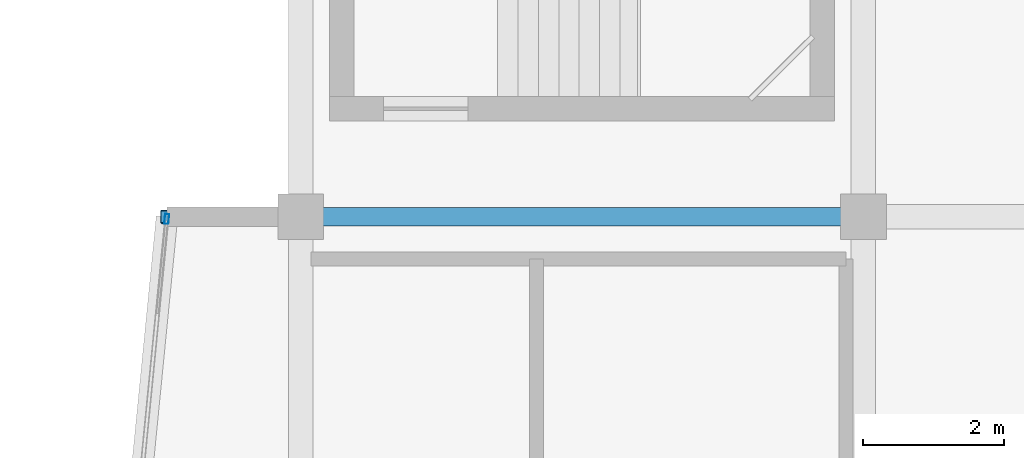
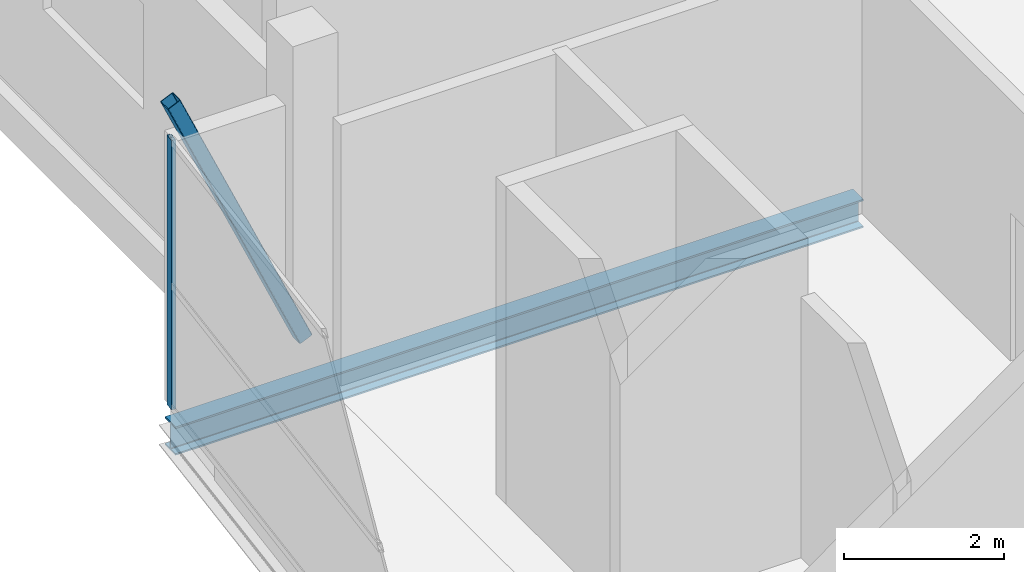
# One storey, part 24 of 58: 2 members, 1 beam, 1 element without a shape of its own.
"""IFC4 building model written with IfcOpenShell, lengths in metres."""

from ifc_helpers import new_model, si_unit, direction, frame, origin, origin_2d, place, context, subcontext, project, spatial, hollow_rectangle, i_section, extrude, material, layer, layer_set, material_profile, profile_set, type_object, element, aggregate, save


model = new_model("IFC4")

# Units and contexts
model_context = context("Model", 3, precision=1e-05, world=origin(), true_north=direction((0.0, 1.0)))
body_context = subcontext(model_context, "Body", "Model", "MODEL_VIEW")
ifc_project = project(units=[si_unit("LENGTHUNIT", "METRE"), si_unit("AREAUNIT", "SQUARE_METRE"), si_unit("VOLUMEUNIT", "CUBIC_METRE"), si_unit("PLANEANGLEUNIT", "RADIAN"), si_unit("MASSUNIT", "GRAM", prefix="KILO")], contexts=[model_context])

# Site, building, storey
site_placement = place(None, origin())
site = spatial("IfcSite", under=ifc_project, at=site_placement, CompositionType="ELEMENT")
building_placement = place(site_placement, origin())
building = spatial("IfcBuilding", under=site, at=building_placement, Name="Sillaruma Civic Art Gallery", CompositionType="ELEMENT")
storey_placement = place(building_placement, frame((0.0, 0.0, 52.02001953125)))
storey = spatial("IfcBuildingStorey", under=building, at=storey_placement, Name="L10", CompositionType="ELEMENT", Elevation=52.02001953125)

# Beam
ifc_material_1 = material(Name="Structural Steel ASTM A992 Gr.50", Category="steel")
ifc_material_profile_1 = material_profile(ifc_material_1, i_section(OverallWidth=0.264892578125, OverallDepth=0.430908203125, WebThickness=0.014892578125, FlangeThickness=0.02490234375, FilletRadius=0.012939453125, at=origin_2d()), Name="W410x149")
ifc_profile_set_1 = profile_set([ifc_material_profile_1], Name="Structural Steel ASTM A992 Gr.50")
beam_type = type_object("IfcBeamType", Name="BM-PROW-W410x149", PredefinedType="BEAM", material=ifc_profile_set_1)
beam_placement = place(storey_placement, frame((70.0, 79.199951171875, -0.465576171875), z_axis=(-1.0, 0.0, 0.0), x_axis=(0.0, -1.0, 0.0)))
element("IfcBeam", 1, at=beam_placement, inside=storey, type_object=beam_type, Name="Back-Spanned Prow Beam (PRW-L10-W-FLR-N)", PredefinedType="BEAM", context=body_context, shape_type="SweptSolid", body=[
    extrude(i_section(OverallWidth=0.264892578125, OverallDepth=0.430908203125, WebThickness=0.014892578125, FlangeThickness=0.02490234375, FilletRadius=0.012939453125, at=origin_2d()), origin(), (0.0, 0.0, 1.0), 9.89990234375),
])

# Curtain wall, member
ifc_material_2 = material(Name="Thermally Broken Extruded Aluminium 6063-T6", Category="aluminium")
ifc_layer = layer(ifc_material_2, 0.139892578125, Name="Thermally Broken Extruded Aluminium 6063-T6")
ifc_layer_set = layer_set([ifc_layer], Name="Thermally Broken Extruded Aluminium 6063-T6")
curtain_wall_type = type_object("IfcCurtainWallType", Name="CW-UNI-84", PredefinedType="NOTDEFINED", material=ifc_layer_set)
curtain_wall_placement = place(storey_placement, origin())
curtain_wall = element("IfcCurtainWall", 2, at=curtain_wall_placement, inside=storey, type_object=curtain_wall_type, Name="Unitised Curtain Wall CW-84 (CW-PRW-L10-W-ANG)", PredefinedType="NOTDEFINED")
ifc_material_profile_2 = material_profile(ifc_material_2, hollow_rectangle(XDim=0.06005859375, YDim=0.139892578125, WallThickness=0.00341796875, at=origin_2d()), Name="CWM60x140")
ifc_profile_set_2 = profile_set([ifc_material_profile_2], Name="Thermally Broken Extruded Aluminium 6063-T6")
member_type_1 = type_object("IfcMemberType", Name="MEM-MUL-CWM60x140", PredefinedType="MULLION", material=ifc_profile_set_2)
member_1_placement = place(storey_placement, frame((60.09716796875, 79.170166015625, 0.0), z_axis=(0.0, 0.0, 1.0), x_axis=(0.99518536297, -0.098010679679, 0.0)))
member_1 = element("IfcMember", 3, at=member_1_placement, type_object=member_type_1, Name="CW-84 mullion 1", PredefinedType="MULLION", context=body_context, shape_type="SweptSolid", body=[
    extrude(hollow_rectangle(XDim=0.06005859375, YDim=0.139892578125, WallThickness=0.00341796875, at=origin_2d()), origin(), (0.0, 0.0, 1.0), 4.10009765625),
])
aggregate(curtain_wall, [member_1])

# Member
ifc_material_3 = material(Name="Structural Steel ASTM A500 Gr.C", Category="steel")
ifc_material_profile_3 = material_profile(ifc_material_3, hollow_rectangle(XDim=0.199951171875, YDim=0.199951171875, WallThickness=0.010009765625, InnerFilletRadius=0.010009765625, OuterFilletRadius=0.02001953125, at=origin_2d()), Name="HSS200x200x10")
ifc_profile_set_3 = profile_set([ifc_material_profile_3], Name="Structural Steel ASTM A500 Gr.C")
member_type_2 = type_object("IfcMemberType", Name="MEM-PROW-BRACE", PredefinedType="BRACE", material=ifc_profile_set_3)
member_2_placement = place(storey_placement, frame((62.0, 79.199951171875, 0.39990234375), z_axis=(-0.409347380647, 0.0, 0.912378606697), x_axis=(0.0, -1.0, 0.0)))
element("IfcMember", 4, at=member_2_placement, inside=storey, type_object=member_type_2, Name="Deconstructivist Prow Diagonal Brace (PRW-L10-W-ROF-N)", PredefinedType="BRACE", context=body_context, shape_type="SweptSolid", body=[
    extrude(hollow_rectangle(XDim=0.199951171875, YDim=0.199951171875, WallThickness=0.010009765625, InnerFilletRadius=0.010009765625, OuterFilletRadius=0.02001953125, at=origin_2d()), origin(), (0.0, 0.0, 1.0), 4.641357421875),
])

save(model, "model.ifc")
